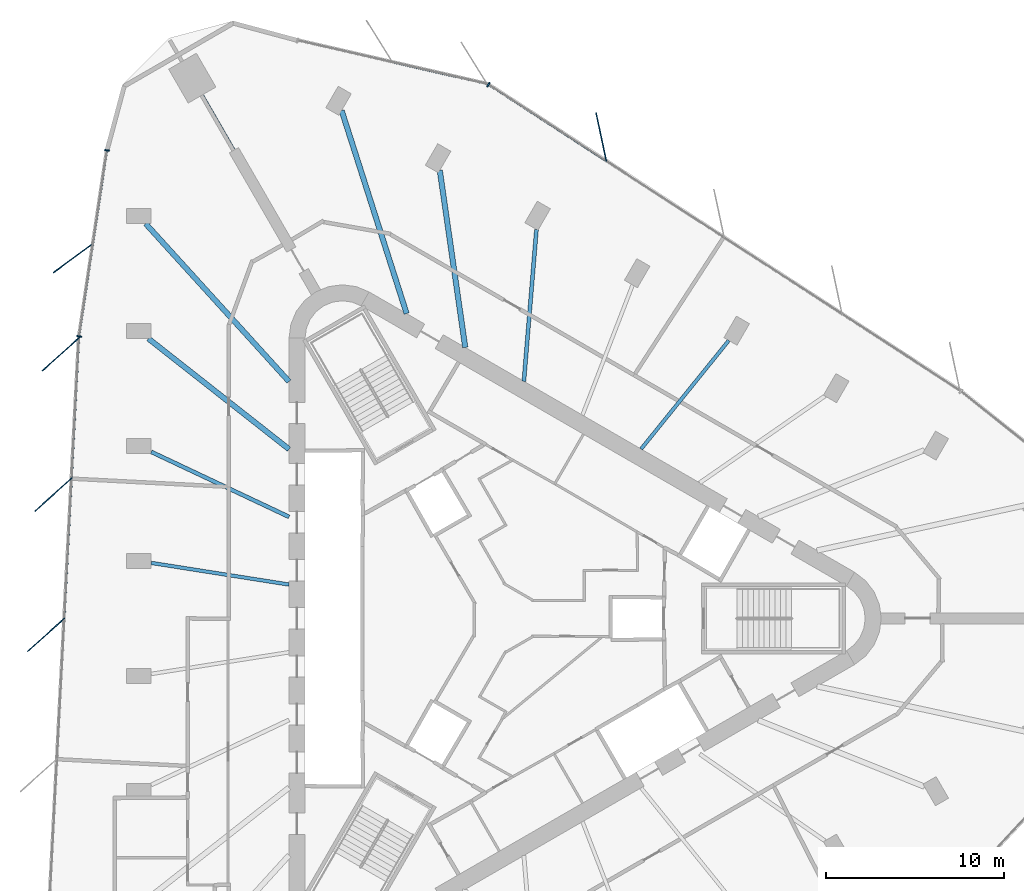
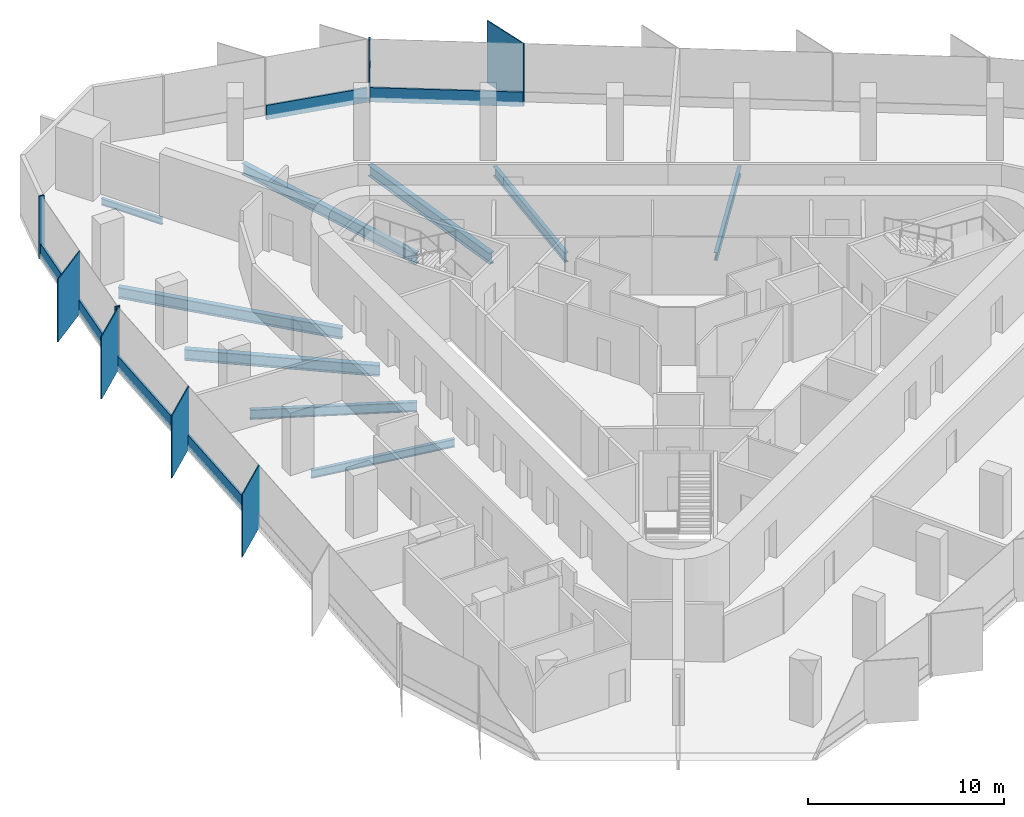
# One storey, part 4 of 13: 14 members, 9 beams, 4 elements without a shape of their own.
"""IFC4 building model written with IfcOpenShell, lengths in metres."""

from ifc_helpers import new_model, si_unit, direction, frame, origin, origin_2d, place, context, subcontext, project, spatial, rectangle, i_section, extrude, material, material_profile, profile_set, type_object, element, aggregate, save


model = new_model("IFC4")

# Units and contexts
model_context = context("Model", 3, precision=1e-05, world=origin(), true_north=direction((0.0, 1.0)))
body_context = subcontext(model_context, "Body", "Model", "MODEL_VIEW")
ifc_project = project(units=[si_unit("LENGTHUNIT", "METRE"), si_unit("AREAUNIT", "SQUARE_METRE"), si_unit("VOLUMEUNIT", "CUBIC_METRE"), si_unit("PLANEANGLEUNIT", "RADIAN"), si_unit("MASSUNIT", "GRAM", prefix="KILO")], contexts=[model_context])

# Site, building, storey
site_placement = place(None, origin())
site = spatial("IfcSite", under=ifc_project, at=site_placement, CompositionType="ELEMENT")
building_placement = place(site_placement, origin())
building = spatial("IfcBuilding", under=site, at=building_placement, Name="Tanit Gate Tower", CompositionType="ELEMENT")
storey_placement = place(building_placement, frame((0.0, 0.0, 318.199951171875)))
storey = spatial("IfcBuildingStorey", under=building, at=storey_placement, Name="L71", CompositionType="ELEMENT", Elevation=318.199951171875)

# Curtain wall, member
ifc_material_1 = material(Name="Aluminium bronze anodised and glass", Category="aluminium")
curtain_wall_type = type_object("IfcCurtainWallType", Name="Curtain wall typical high", PredefinedType="NOTDEFINED", material=ifc_material_1)
curtain_wall_1_placement = place(storey_placement, origin())
curtain_wall_1 = element("IfcCurtainWall", 1, at=curtain_wall_1_placement, inside=storey, type_object=curtain_wall_type, Name="Curtain wall L71 NE2", PredefinedType="NOTDEFINED")
ifc_material_2 = material(Name="Aluminium bronze anodised", Category="aluminium")
ifc_material_profile_1 = material_profile(ifc_material_2, rectangle(XDim=2.800048828125, YDim=0.055908203125, at=origin_2d()), Name="56x2800 bronze fin mullion")
ifc_profile_set_1 = profile_set([ifc_material_profile_1], Name="Aluminium bronze anodised")
member_type_1 = type_object("IfcMemberType", Name="FIN MULLION 56x2800 bronze", PredefinedType="MULLION", material=ifc_profile_set_1)
member_1_placement = place(storey_placement, frame((5.455078125, 27.071044921875, -0.300048828125), z_axis=(0.0, 0.0, 1.0), x_axis=(0.208237849046, -0.978078216824, 0.0)))
member_1 = element("IfcMember", 2, at=member_1_placement, type_object=member_type_1, Name="Fin mullion L71 NE2.4", PredefinedType="MULLION", context=body_context, shape_type="SweptSolid", body=[
    extrude(rectangle(XDim=2.800048828125, YDim=0.055908203125, at=origin_2d()), origin(), (0.0, 0.0, 1.0), 3.900146484375),
])

curtain_wall_2_placement = place(storey_placement, origin())
curtain_wall_2 = element("IfcCurtainWall", 3, at=curtain_wall_2_placement, inside=storey, type_object=curtain_wall_type, Name="Curtain wall L71 W1", PredefinedType="NOTDEFINED")
member_2_placement = place(storey_placement, frame((-24.231689453125, 20.26904296875, -0.300048828125), z_axis=(0.0, 0.0, 1.0), x_axis=(0.804109178705, 0.594481647086, 0.0)))
member_2 = element("IfcMember", 4, at=member_2_placement, type_object=member_type_1, Name="Fin mullion L71 W1.2", PredefinedType="MULLION", context=body_context, shape_type="SweptSolid", body=[
    extrude(rectangle(XDim=2.800048828125, YDim=0.055908203125, at=origin_2d()), origin(), (0.0, 0.0, 1.0), 3.900146484375),
])

# Curtain wall, members
curtain_wall_3_placement = place(storey_placement, origin())
curtain_wall_3 = element("IfcCurtainWall", 5, at=curtain_wall_3_placement, inside=storey, type_object=curtain_wall_type, Name="Curtain wall L71 W2", PredefinedType="NOTDEFINED")
member_3_placement = place(storey_placement, frame((-24.939453125, 14.85498046875, -0.300048828125), z_axis=(0.0, 0.0, 1.0), x_axis=(0.742921658135, 0.669378375715, 0.0)))
member_3 = element("IfcMember", 6, at=member_3_placement, type_object=member_type_1, Name="Fin mullion L71 W2.1", PredefinedType="MULLION", context=body_context, shape_type="SweptSolid", body=[
    extrude(rectangle(XDim=2.800048828125, YDim=0.055908203125, at=origin_2d()), origin(), (0.0, 0.0, 1.0), 3.900146484375),
])
member_4_placement = place(storey_placement, frame((-25.35009765625, 6.96630859375, -0.300048828125), z_axis=(0.0, 0.0, 1.0), x_axis=(0.742921658135, 0.669378375715, 0.0)))
member_4 = element("IfcMember", 7, at=member_4_placement, type_object=member_type_1, Name="Fin mullion L71 W2.2", PredefinedType="MULLION", context=body_context, shape_type="SweptSolid", body=[
    extrude(rectangle(XDim=2.800048828125, YDim=0.055908203125, at=origin_2d()), origin(), (0.0, 0.0, 1.0), 3.900146484375),
])
member_5_placement = place(storey_placement, frame((-25.760986328125, -0.92236328125, -0.300048828125), z_axis=(0.0, 0.0, 1.0), x_axis=(0.742921658135, 0.669378375715, 0.0)))
member_5 = element("IfcMember", 8, at=member_5_placement, type_object=member_type_1, Name="Fin mullion L71 W2.3", PredefinedType="MULLION", context=body_context, shape_type="SweptSolid", body=[
    extrude(rectangle(XDim=2.800048828125, YDim=0.055908203125, at=origin_2d()), origin(), (0.0, 0.0, 1.0), 3.900146484375),
])

# Member
ifc_material_3 = material(Name="Aluminium bronze anodised", Category="aluminium")
ifc_material_profile_2 = material_profile(ifc_material_3, rectangle(XDim=0.280029296875, YDim=0.080078125, at=origin_2d()), Name="80x280 bronze mullion")
ifc_profile_set_2 = profile_set([ifc_material_profile_2], Name="Aluminium bronze anodised")
member_type_2 = type_object("IfcMemberType", Name="Mullion 80x280 typical high", PredefinedType="MULLION", material=ifc_profile_set_2)
member_6_placement = place(storey_placement, frame((-0.884033203125, 30.021240234375, -0.300048828125), z_axis=(0.0, 0.0, 1.0), x_axis=(-0.544359344487, -0.838852134807, 0.0)))
member_6 = element("IfcMember", 9, at=member_6_placement, type_object=member_type_2, Name="Mullion L71 NE2.5", PredefinedType="MULLION", context=body_context, shape_type="SweptSolid", body=[
    extrude(rectangle(XDim=0.280029296875, YDim=0.080078125, at=origin_2d()), origin(), (0.0, 0.0, 1.0), 3.900146484375),
])

member_7_placement = place(storey_placement, frame((-22.337890625, 26.32080078125, -0.300048828125), z_axis=(0.0, 0.0, 1.0), x_axis=(0.988953057022, -0.148229049131, 0.0)))
member_7 = element("IfcMember", 10, at=member_7_placement, type_object=member_type_2, Name="Mullion L71 W1.1", PredefinedType="MULLION", context=body_context, shape_type="SweptSolid", body=[
    extrude(rectangle(XDim=0.280029296875, YDim=0.080078125, at=origin_2d()), origin(), (0.0, 0.0, 1.0), 3.900146484375),
])

member_8_placement = place(storey_placement, frame((-23.906005859375, 15.8583984375, -0.300048828125), z_axis=(0.0, 0.0, 1.0), x_axis=(0.988953057022, -0.148229049131, 0.0)))
member_8 = element("IfcMember", 11, at=member_8_placement, type_object=member_type_2, Name="Mullion L71 W1.3", PredefinedType="MULLION", context=body_context, shape_type="SweptSolid", body=[
    extrude(rectangle(XDim=0.280029296875, YDim=0.080078125, at=origin_2d()), origin(), (0.0, 0.0, 1.0), 3.900146484375),
])

# Beams
ifc_material_4 = material(Name="Steel S355", Category="steel")
ifc_material_profile_3 = material_profile(ifc_material_4, i_section(OverallWidth=0.300048828125, OverallDepth=0.68994140625, WebThickness=0.014404296875, FlangeThickness=0.027099609375, FilletRadius=0.027099609375, at=origin_2d()), Name="HEA 700")
ifc_profile_set_3 = profile_set([ifc_material_profile_3], Name="Steel S355")
beam_type_1 = type_object("IfcBeamType", Name="RADIAL GIRDER HEA 700 S355", PredefinedType="BEAM", material=ifc_profile_set_3)
beam_1_placement = place(storey_placement, frame((-3.622314453125, 25.19580078125, -0.64501953125), z_axis=(0.142297951306, -0.989823869713, 0.0), x_axis=(0.989823869713, 0.142297951306, 0.0)))
element("IfcBeam", 12, at=beam_1_placement, inside=storey, type_object=beam_type_1, Name="RADIAL GIRDER", PredefinedType="BEAM", context=body_context, shape_type="SweptSolid", body=[
    extrude(i_section(OverallWidth=0.300048828125, OverallDepth=0.68994140625, WebThickness=0.014404296875, FlangeThickness=0.027099609375, FilletRadius=0.027099609375, at=origin_2d()), origin(), (0.0, 0.0, 1.0), 10.05908203125),
])
beam_2_placement = place(storey_placement, frame((-9.142822265625, 28.5615234375, -0.64501953125), z_axis=(0.304861429939, -0.952396718041, 0.0), x_axis=(0.952396718041, 0.304861429939, 0.0)))
element("IfcBeam", 13, at=beam_2_placement, inside=storey, type_object=beam_type_1, Name="RADIAL GIRDER", PredefinedType="BEAM", context=body_context, shape_type="SweptSolid", body=[
    extrude(i_section(OverallWidth=0.300048828125, OverallDepth=0.68994140625, WebThickness=0.014404296875, FlangeThickness=0.027099609375, FilletRadius=0.027099609375, at=origin_2d()), origin(), (0.0, 0.0, 1.0), 11.989990234375),
])
beam_3_placement = place(storey_placement, frame((-20.16357421875, 22.198486328125, -0.64501953125), z_axis=(0.672368682258, -0.740216424513, 0.0), x_axis=(0.740216424513, 0.672368682258, 0.0)))
element("IfcBeam", 14, at=beam_3_placement, inside=storey, type_object=beam_type_1, Name="RADIAL GIRDER", PredefinedType="BEAM", context=body_context, shape_type="SweptSolid", body=[
    extrude(i_section(OverallWidth=0.300048828125, OverallDepth=0.68994140625, WebThickness=0.014404296875, FlangeThickness=0.027099609375, FilletRadius=0.027099609375, at=origin_2d()), origin(), (0.0, 0.0, 1.0), 11.98974609375),
])
beam_4_placement = place(storey_placement, frame((-20.009033203125, 15.734619140625, -0.64501953125), z_axis=(0.786058028023, -0.618152712993, 0.0), x_axis=(0.618152712993, 0.786058028023, 0.0)))
element("IfcBeam", 15, at=beam_4_placement, inside=storey, type_object=beam_type_1, Name="RADIAL GIRDER", PredefinedType="BEAM", context=body_context, shape_type="SweptSolid", body=[
    extrude(i_section(OverallWidth=0.300048828125, OverallDepth=0.68994140625, WebThickness=0.014404296875, FlangeThickness=0.027099609375, FilletRadius=0.027099609375, at=origin_2d()), origin(), (0.0, 0.0, 1.0), 10.05908203125),
])
ifc_material_5 = material(Name="Steel S355", Category="steel")
ifc_material_profile_4 = material_profile(ifc_material_5, i_section(OverallWidth=0.179931640625, OverallDepth=0.39990234375, WebThickness=0.008544921875, FlangeThickness=0.013427734375, FilletRadius=0.02099609375, at=origin_2d()), Name="IPE 400")
ifc_profile_set_4 = profile_set([ifc_material_profile_4], Name="Steel S355")
beam_type_2 = type_object("IfcBeamType", Name="RADIAL GIRDER IPE 400 S355", PredefinedType="BEAM", material=ifc_profile_set_4)
beam_5_placement = place(storey_placement, frame((-16.991455078125, 29.43017578125, -0.5), z_axis=(0.499968468511, -0.866043607733, 0.0), x_axis=(0.866043607733, 0.499968468511, 0.0)))
element("IfcBeam", 16, at=beam_5_placement, inside=storey, type_object=beam_type_2, Name="RADIAL GIRDER", PredefinedType="BEAM", context=body_context, shape_type="SweptSolid", body=[
    extrude(i_section(OverallWidth=0.179931640625, OverallDepth=0.39990234375, WebThickness=0.008544921875, FlangeThickness=0.013427734375, FilletRadius=0.02099609375, at=origin_2d()), origin(), (0.0, 0.0, 1.0), 3.579345703125),
])
ifc_material_6 = material(Name="Steel S355", Category="steel")
ifc_material_profile_5 = material_profile(ifc_material_6, i_section(OverallWidth=0.199951171875, OverallDepth=0.5, WebThickness=0.01025390625, FlangeThickness=0.01611328125, FilletRadius=0.02099609375, at=origin_2d()), Name="IPE 500")
ifc_profile_set_5 = profile_set([ifc_material_profile_5], Name="Steel S355")
beam_type_3 = type_object("IfcBeamType", Name="RADIAL GIRDER IPE 500 S355", PredefinedType="BEAM", material=ifc_profile_set_5)
beam_6_placement = place(storey_placement, frame((12.62841796875, 15.62939453125, -0.550048828125), z_axis=(-0.628491429151, -0.777816510164, 0.0), x_axis=(0.777816510164, -0.628491429151, 0.0)))
element("IfcBeam", 17, at=beam_6_placement, inside=storey, type_object=beam_type_3, Name="RADIAL GIRDER", PredefinedType="BEAM", context=body_context, shape_type="SweptSolid", body=[
    extrude(i_section(OverallWidth=0.199951171875, OverallDepth=0.5, WebThickness=0.01025390625, FlangeThickness=0.01611328125, FilletRadius=0.02099609375, at=origin_2d()), origin(), (0.0, 0.0, 1.0), 7.843017578125),
])
beam_7_placement = place(storey_placement, frame((-19.849609375, 3.121826171875, -0.550048828125), z_axis=(0.987856930441, -0.15536629293, 0.0), x_axis=(0.15536629293, 0.987856930441, 0.0)))
element("IfcBeam", 18, at=beam_7_placement, inside=storey, type_object=beam_type_3, Name="RADIAL GIRDER", PredefinedType="BEAM", context=body_context, shape_type="SweptSolid", body=[
    extrude(i_section(OverallWidth=0.199951171875, OverallDepth=0.5, WebThickness=0.01025390625, FlangeThickness=0.01611328125, FilletRadius=0.02099609375, at=origin_2d()), origin(), (0.0, 0.0, 1.0), 7.8427734375),
])
ifc_material_7 = material(Name="Steel S355", Category="steel")
ifc_material_profile_6 = material_profile(ifc_material_7, i_section(OverallWidth=0.219970703125, OverallDepth=0.60009765625, WebThickness=0.011962890625, FlangeThickness=0.01904296875, FilletRadius=0.02392578125, at=origin_2d()), Name="IPE 600")
ifc_profile_set_6 = profile_set([ifc_material_profile_6], Name="Steel S355")
beam_type_4 = type_object("IfcBeamType", Name="RADIAL GIRDER IPE 600 S355", PredefinedType="BEAM", material=ifc_profile_set_6)
for number, where, z_axis, x_axis, name in (
    (19, (1.81396484375, 21.873046875, -0.599853515625), (-0.082646881355, -0.99657889452, 0.0), (0.99657889452, -0.082646881355, 0.0), "RADIAL GIRDER"),
    (20, (-19.849609375, 9.365478515625, -0.599853515625), (0.90438615004, -0.426715000458, 0.0), (0.426715000458, 0.90438615004, 0.0), "RADIAL GIRDER"),
):
    element("IfcBeam", number, at=place(storey_placement, frame(where, z_axis=z_axis, x_axis=x_axis)), inside=storey, type_object=beam_type_4, Name=name, PredefinedType="BEAM", context=body_context, shape_type="SweptSolid", body=[
        extrude(i_section(OverallWidth=0.219970703125, OverallDepth=0.60009765625, WebThickness=0.011962890625, FlangeThickness=0.01904296875, FilletRadius=0.02392578125, at=origin_2d()), origin(), (0.0, 0.0, 1.0), 8.566650390625),
    ])

# Member
ifc_material_8 = material(Name="Aluminium bronze anodised", Category="aluminium")
ifc_material_profile_7 = material_profile(ifc_material_8, rectangle(XDim=0.1201171875, YDim=0.89990234375, at=origin_2d()), Name="120x900 bronze transom")
ifc_profile_set_7 = profile_set([ifc_material_profile_7], Name="Aluminium bronze anodised")
member_type_3 = type_object("IfcMemberType", Name="Transom 120x900 typical high", PredefinedType="USERDEFINED", material=ifc_profile_set_7)
member_9_placement = place(storey_placement, frame((5.708984375, 25.742919921875, 0.150146484375), z_axis=(-0.838850699272, 0.544361556624, 0.0), x_axis=(-0.544361556624, -0.838850699272, 0.0)))
member_9 = element("IfcMember", 21, at=member_9_placement, type_object=member_type_3, Name="Transom L71 NE2.4", ObjectType="TRANSOM", PredefinedType="USERDEFINED", context=body_context, shape_type="SweptSolid", body=[
    extrude(rectangle(XDim=0.1201171875, YDim=0.89990234375, at=origin_2d()), origin(), (0.0, 0.0, 1.0), 7.8193359375),
])

aggregate(curtain_wall_1, [member_1, member_6, member_9])

# Curtain wall, member
curtain_wall_4_placement = place(storey_placement, origin())
curtain_wall_4 = element("IfcCurtainWall", 22, at=curtain_wall_4_placement, inside=storey, type_object=curtain_wall_type, Name="Curtain wall L71 NE3", PredefinedType="NOTDEFINED")
member_10_placement = place(storey_placement, frame((-0.995361328125, 30.06103515625, 0.150146484375), z_axis=(-0.974449190719, 0.224608046843, 0.0), x_axis=(-0.224608046843, -0.974449190719, 0.0)))
member_10 = element("IfcMember", 23, at=member_10_placement, type_object=member_type_3, Name="Transom L71 NE3.1", ObjectType="TRANSOM", PredefinedType="USERDEFINED", context=body_context, shape_type="SweptSolid", body=[
    extrude(rectangle(XDim=0.1201171875, YDim=0.89990234375, at=origin_2d()), origin(), (0.0, 0.0, 1.0), 5.38916015625),
])
aggregate(curtain_wall_4, [member_10])

# Member
member_11_placement = place(storey_placement, frame((-22.34375, 26.28125, 0.150146484375), z_axis=(-0.148228163726, -0.988953189731, 0.0), x_axis=(0.988953189731, -0.148228163726, 0.0)))
member_11 = element("IfcMember", 24, at=member_11_placement, type_object=member_type_3, Name="Transom L71 W1.1", ObjectType="TRANSOM", PredefinedType="USERDEFINED", context=body_context, shape_type="SweptSolid", body=[
    extrude(rectangle(XDim=0.1201171875, YDim=0.89990234375, at=origin_2d()), origin(), (0.0, 0.0, 1.0), 5.209716796875),
])

member_12_placement = place(storey_placement, frame((-23.1279296875, 21.050048828125, 0.150146484375), z_axis=(-0.148228163726, -0.988953189731, 0.0), x_axis=(0.988953189731, -0.148228163726, 0.0)))
member_12 = element("IfcMember", 25, at=member_12_placement, type_object=member_type_3, Name="Transom L71 W1.2", ObjectType="TRANSOM", PredefinedType="USERDEFINED", context=body_context, shape_type="SweptSolid", body=[
    extrude(rectangle(XDim=0.1201171875, YDim=0.89990234375, at=origin_2d()), origin(), (0.0, 0.0, 1.0), 5.209716796875),
])

aggregate(curtain_wall_2, [member_7, member_2, member_8, member_11, member_12])

member_13_placement = place(storey_placement, frame((-23.916015625, 15.739013671875, 0.150146484375), z_axis=(-0.05201640207, -0.998646230612, 0.0), x_axis=(0.998646230612, -0.05201640207, 0.0)))
member_13 = element("IfcMember", 26, at=member_13_placement, type_object=member_type_3, Name="Transom L71 W2.1", ObjectType="TRANSOM", PredefinedType="USERDEFINED", context=body_context, shape_type="SweptSolid", body=[
    extrude(rectangle(XDim=0.1201171875, YDim=0.89990234375, at=origin_2d()), origin(), (0.0, 0.0, 1.0), 7.8193359375),
])

member_14_placement = place(storey_placement, frame((-24.326904296875, 7.85009765625, 0.150146484375), z_axis=(-0.051985264142, -0.998647852004, 0.0), x_axis=(0.998647852004, -0.051985264142, 0.0)))
member_14 = element("IfcMember", 27, at=member_14_placement, type_object=member_type_3, Name="Transom L71 W2.2", ObjectType="TRANSOM", PredefinedType="USERDEFINED", context=body_context, shape_type="SweptSolid", body=[
    extrude(rectangle(XDim=0.1201171875, YDim=0.89990234375, at=origin_2d()), origin(), (0.0, 0.0, 1.0), 7.8193359375),
])

aggregate(curtain_wall_3, [member_3, member_4, member_5, member_13, member_14])

save(model, "model.ifc")
